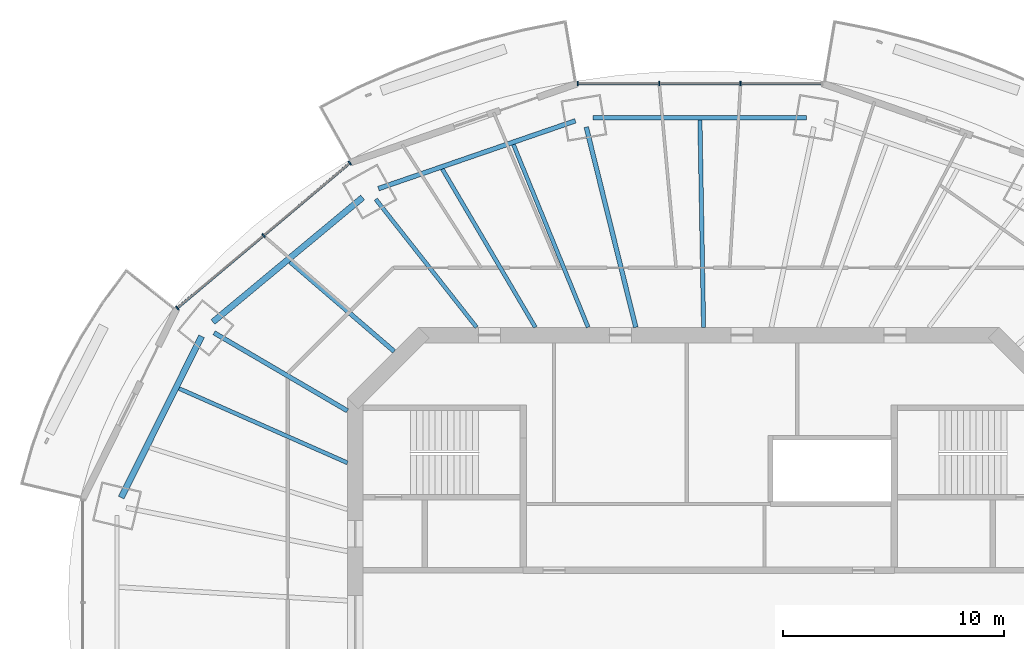
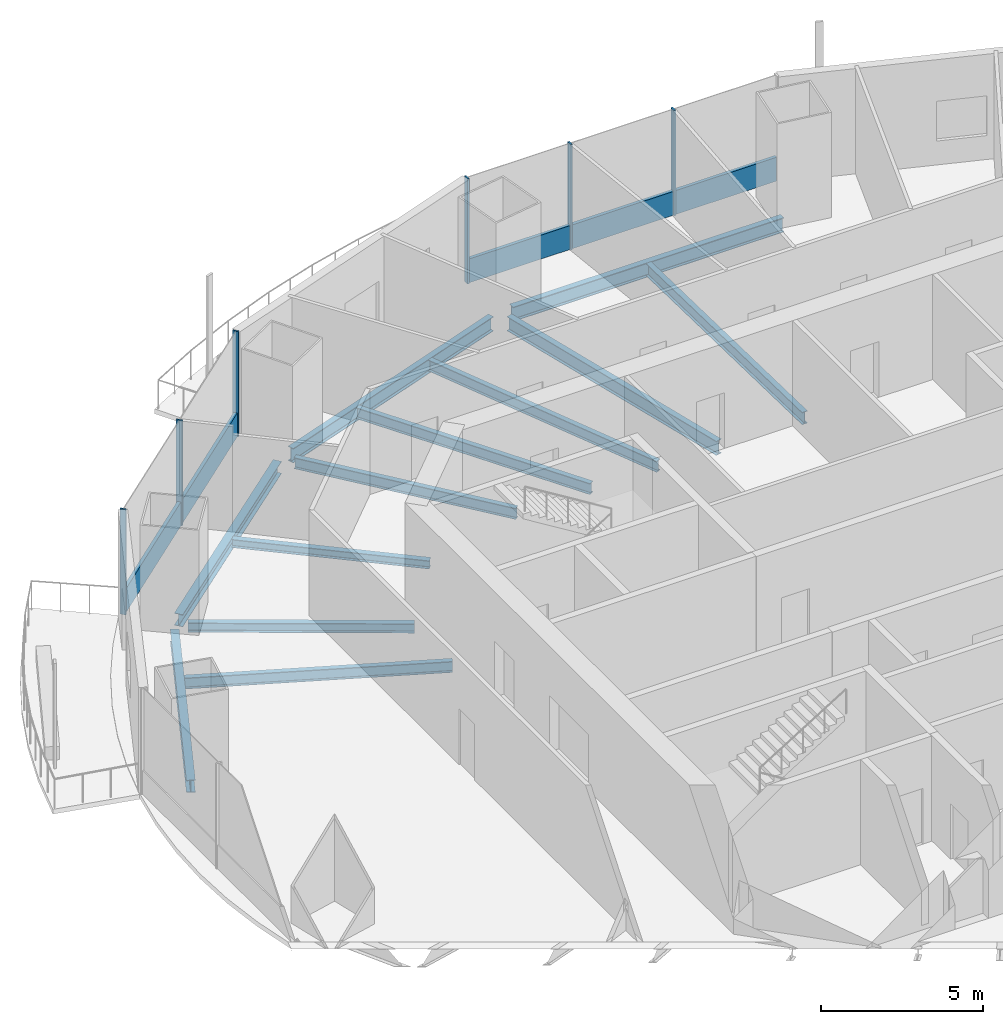
# One storey, part 5 of 16: 12 beams, 8 members, 2 elements without a shape of their own.
"""IFC4 building model written with IfcOpenShell, lengths in metres."""

from ifc_helpers import new_model, si_unit, direction, frame, origin, origin_2d, place, context, subcontext, project, spatial, rectangle, i_section, extrude, material, material_profile, profile_set, type_object, element, aggregate, save


model = new_model("IFC4")

# Units and contexts
model_context = context("Model", 3, precision=1e-05, world=origin(), true_north=direction((0.0, 1.0)))
body_context = subcontext(model_context, "Body", "Model", "MODEL_VIEW")
ifc_project = project(units=[si_unit("LENGTHUNIT", "METRE"), si_unit("AREAUNIT", "SQUARE_METRE"), si_unit("VOLUMEUNIT", "CUBIC_METRE"), si_unit("PLANEANGLEUNIT", "RADIAN"), si_unit("MASSUNIT", "GRAM", prefix="KILO")], contexts=[model_context])

# Site, building, storey
site_placement = place(None, origin())
site = spatial("IfcSite", under=ifc_project, at=site_placement, CompositionType="ELEMENT")
building_placement = place(site_placement, origin())
building = spatial("IfcBuilding", under=site, at=building_placement, Name="Marenthal Gate Tower", CompositionType="ELEMENT")
storey_placement = place(building_placement, frame((0.0, 0.0, 301.10009765625)))
storey = spatial("IfcBuildingStorey", under=building, at=storey_placement, Name="L67", CompositionType="ELEMENT", Elevation=301.10009765625)

# Curtain wall, members
ifc_material_1 = material(Name="Aluminium and glass", Category="aluminium")
curtain_wall_type = type_object("IfcCurtainWallType", Name="Curtain wall typical high", PredefinedType="NOTDEFINED", material=ifc_material_1)
curtain_wall_1_placement = place(storey_placement, origin())
curtain_wall_1 = element("IfcCurtainWall", 1, at=curtain_wall_1_placement, inside=storey, type_object=curtain_wall_type, Name="Curtain wall L67 bay 4", PredefinedType="NOTDEFINED")
ifc_material_2 = material(Name="Aluminium", Category="aluminium")
ifc_material_profile_1 = material_profile(ifc_material_2, rectangle(XDim=0.199951171875, YDim=0.06005859375, at=origin_2d()), Name="60x200 aluminium mullion")
ifc_profile_set_1 = profile_set([ifc_material_profile_1], Name="Aluminium")
member_type_1 = type_object("IfcMemberType", Name="Mullion 60x200 typical high", PredefinedType="MULLION", material=ifc_profile_set_1)
member_1_placement = place(storey_placement, frame((1.44189453125, 24.3779296875, 0.0), z_axis=(0.0, 0.0, 1.0), x_axis=(0.0, -1.0, 0.0)))
member_1 = element("IfcMember", 2, at=member_1_placement, type_object=member_type_1, Name="Mullion L67 bay 4.2", PredefinedType="MULLION", context=body_context, shape_type="SweptSolid", body=[
    extrude(rectangle(XDim=0.199951171875, YDim=0.06005859375, at=origin_2d()), origin(), (0.0, 0.0, 1.0), 3.969970703125),
])
member_2_placement = place(storey_placement, frame((-2.24169921875, 24.3779296875, 0.0), z_axis=(0.0, 0.0, 1.0), x_axis=(0.0, -1.0, 0.0)))
member_2 = element("IfcMember", 3, at=member_2_placement, type_object=member_type_1, Name="Mullion L67 bay 4.3", PredefinedType="MULLION", context=body_context, shape_type="SweptSolid", body=[
    extrude(rectangle(XDim=0.199951171875, YDim=0.06005859375, at=origin_2d()), origin(), (0.0, 0.0, 1.0), 3.969970703125),
])
member_3_placement = place(storey_placement, frame((-5.92529296875, 24.3779296875, 0.0), z_axis=(0.0, 0.0, 1.0), x_axis=(0.0, -1.0, 0.0)))
member_3 = element("IfcMember", 4, at=member_3_placement, type_object=member_type_1, Name="Mullion L67 bay 4.4", PredefinedType="MULLION", context=body_context, shape_type="SweptSolid", body=[
    extrude(rectangle(XDim=0.199951171875, YDim=0.06005859375, at=origin_2d()), origin(), (0.0, 0.0, 1.0), 3.969970703125),
])

curtain_wall_2_placement = place(storey_placement, origin())
curtain_wall_2 = element("IfcCurtainWall", 5, at=curtain_wall_2_placement, inside=storey, type_object=curtain_wall_type, Name="Curtain wall L67 bay 6", PredefinedType="NOTDEFINED")
member_4_placement = place(storey_placement, frame((-16.243408203125, 20.784423828125, 0.0), z_axis=(0.0, 0.0, 1.0), x_axis=(0.643479945432, -0.765462970905, 0.0)))
member_4 = element("IfcMember", 6, at=member_4_placement, type_object=member_type_1, Name="Mullion L67 bay 6.1", PredefinedType="MULLION", context=body_context, shape_type="SweptSolid", body=[
    extrude(rectangle(XDim=0.199951171875, YDim=0.06005859375, at=origin_2d()), origin(), (0.0, 0.0, 1.0), 3.969970703125),
])
member_5_placement = place(storey_placement, frame((-20.148681640625, 17.50146484375, 0.0), z_axis=(0.0, 0.0, 1.0), x_axis=(0.643479945432, -0.765462970905, 0.0)))
member_5 = element("IfcMember", 7, at=member_5_placement, type_object=member_type_1, Name="Mullion L67 bay 6.2", PredefinedType="MULLION", context=body_context, shape_type="SweptSolid", body=[
    extrude(rectangle(XDim=0.199951171875, YDim=0.06005859375, at=origin_2d()), origin(), (0.0, 0.0, 1.0), 3.969970703125),
])
member_6_placement = place(storey_placement, frame((-24.053955078125, 14.218505859375, 0.0), z_axis=(0.0, 0.0, 1.0), x_axis=(0.643479945432, -0.765462970905, 0.0)))
member_6 = element("IfcMember", 8, at=member_6_placement, type_object=member_type_1, Name="Mullion L67 bay 6.3", PredefinedType="MULLION", context=body_context, shape_type="SweptSolid", body=[
    extrude(rectangle(XDim=0.199951171875, YDim=0.06005859375, at=origin_2d()), origin(), (0.0, 0.0, 1.0), 3.969970703125),
])

# Member
ifc_material_3 = material(Name="Aluminium", Category="aluminium")
ifc_material_profile_2 = material_profile(ifc_material_3, rectangle(XDim=0.1201171875, YDim=0.89990234375, at=origin_2d()), Name="120x900 aluminium transom")
ifc_profile_set_2 = profile_set([ifc_material_profile_2], Name="Aluminium")
member_type_2 = type_object("IfcMemberType", Name="Transom 120x900 typical high", PredefinedType="USERDEFINED", material=ifc_profile_set_2)
member_7_placement = place(storey_placement, frame((5.095458984375, 24.3779296875, 0.449951171875), z_axis=(-1.0, 0.0, 0.0), x_axis=(0.0, -1.0, 0.0)))
member_7 = element("IfcMember", 9, at=member_7_placement, type_object=member_type_2, Name="Transom L67 bay 4", ObjectType="TRANSOM", PredefinedType="USERDEFINED", context=body_context, shape_type="SweptSolid", body=[
    extrude(rectangle(XDim=0.1201171875, YDim=0.89990234375, at=origin_2d()), origin(), (0.0, 0.0, 1.0), 10.990966796875),
])

aggregate(curtain_wall_1, [member_1, member_2, member_3, member_7])

member_8_placement = place(storey_placement, frame((-16.266357421875, 20.76513671875, 0.449951171875), z_axis=(-0.765460155219, -0.643483294866, 0.0), x_axis=(0.643483294866, -0.765460155219, 0.0)))
member_8 = element("IfcMember", 10, at=member_8_placement, type_object=member_type_2, Name="Transom L67 bay 6", ObjectType="TRANSOM", PredefinedType="USERDEFINED", context=body_context, shape_type="SweptSolid", body=[
    extrude(rectangle(XDim=0.1201171875, YDim=0.89990234375, at=origin_2d()), origin(), (0.0, 0.0, 1.0), 10.143798828125),
])

aggregate(curtain_wall_2, [member_4, member_5, member_6, member_8])

# Beams
ifc_material_4 = material(Name="Steel S355", Category="steel")
ifc_material_profile_3 = material_profile(ifc_material_4, i_section(OverallWidth=0.205078125, OverallDepth=0.31005859375, WebThickness=0.009521484375, FlangeThickness=0.016357421875, FilletRadius=0.0126953125, at=origin_2d()), Name="W310X74")
ifc_profile_set_3 = profile_set([ifc_material_profile_3], Name="Steel S355")
beam_type_1 = type_object("IfcBeamType", Name="W310X74 beam", PredefinedType="BEAM", material=ifc_profile_set_3)
beam_1_placement = place(storey_placement, frame((-18.94580078125, 16.3134765625, -0.335205078125), z_axis=(0.757787687863, -0.652501203158, 0.0), x_axis=(0.652501203158, 0.757787687863, 0.0)))
element("IfcBeam", 11, at=beam_1_placement, inside=storey, type_object=beam_type_1, Name="BM-L67-25", PredefinedType="BEAM", context=body_context, shape_type="SweptSolid", body=[
    extrude(i_section(OverallWidth=0.205078125, OverallDepth=0.31005859375, WebThickness=0.009521484375, FlangeThickness=0.016357421875, FilletRadius=0.0126953125, at=origin_2d()), origin(), (0.0, 0.0, 1.0), 6.21435546875),
])
ifc_material_5 = material(Name="Steel S355", Category="steel")
ifc_material_profile_4 = material_profile(ifc_material_5, i_section(OverallWidth=0.205078125, OverallDepth=0.35302734375, WebThickness=0.009521484375, FlangeThickness=0.016845703125, FilletRadius=0.014892578125, at=origin_2d()), Name="W360X79")
ifc_profile_set_4 = profile_set([ifc_material_profile_4], Name="Steel S355")
beam_type_2 = type_object("IfcBeamType", Name="W360X79 beam", PredefinedType="BEAM", material=ifc_profile_set_4)
beam_2_placement = place(storey_placement, frame((-22.3876953125, 13.1015625, -0.356689453125), z_axis=(0.863076809593, -0.505072688574, 0.0), x_axis=(0.505072688574, 0.863076809593, 0.0)))
element("IfcBeam", 12, at=beam_2_placement, inside=storey, type_object=beam_type_2, Name="BM-L67-07", PredefinedType="BEAM", context=body_context, shape_type="SweptSolid", body=[
    extrude(i_section(OverallWidth=0.205078125, OverallDepth=0.35302734375, WebThickness=0.009521484375, FlangeThickness=0.016845703125, FilletRadius=0.014892578125, at=origin_2d()), origin(), (0.0, 0.0, 1.0), 6.995361328125),
])
ifc_material_6 = material(Name="Steel S355", Category="steel")
ifc_material_profile_5 = material_profile(ifc_material_6, i_section(OverallWidth=0.180908203125, OverallDepth=0.4169921875, WebThickness=0.010986328125, FlangeThickness=0.018310546875, FilletRadius=0.01025390625, at=origin_2d()), Name="W410X85")
ifc_profile_set_5 = profile_set([ifc_material_profile_5], Name="Steel S355")
beam_type_3 = type_object("IfcBeamType", Name="W410X85 beam", PredefinedType="BEAM", material=ifc_profile_set_5)
beam_3_placement = place(storey_placement, frame((-15.072509765625, 19.146728515625, -0.388671875), z_axis=(0.618553520336, -0.785742669377, 0.0), x_axis=(0.785742669377, 0.618553520336, 0.0)))
element("IfcBeam", 13, at=beam_3_placement, inside=storey, type_object=beam_type_3, Name="BM-L67-06", PredefinedType="BEAM", context=body_context, shape_type="SweptSolid", body=[
    extrude(i_section(OverallWidth=0.180908203125, OverallDepth=0.4169921875, WebThickness=0.010986328125, FlangeThickness=0.018310546875, FilletRadius=0.01025390625, at=origin_2d()), origin(), (0.0, 0.0, 1.0), 7.377197265625),
])
beam_4_placement = place(storey_placement, frame((-8.8388671875, 21.6171875, -0.388671875), z_axis=(0.378477443336, -0.92561051468, 0.0), x_axis=(0.92561051468, 0.378477443336, 0.0)))
element("IfcBeam", 14, at=beam_4_placement, inside=storey, type_object=beam_type_3, Name="BM-L67-23", PredefinedType="BEAM", context=body_context, shape_type="SweptSolid", body=[
    extrude(i_section(OverallWidth=0.180908203125, OverallDepth=0.4169921875, WebThickness=0.010986328125, FlangeThickness=0.018310546875, FilletRadius=0.01025390625, at=origin_2d()), origin(), (0.0, 0.0, 1.0), 8.931396484375),
])
beam_5_placement = place(storey_placement, frame((-12.055908203125, 20.509521484375, -0.388671875), z_axis=(0.506758017477, -0.86208834334, 0.0), x_axis=(0.86208834334, 0.506758017477, 0.0)))
element("IfcBeam", 15, at=beam_5_placement, inside=storey, type_object=beam_type_3, Name="BM-L67-24", PredefinedType="BEAM", context=body_context, shape_type="SweptSolid", body=[
    extrude(i_section(OverallWidth=0.180908203125, OverallDepth=0.4169921875, WebThickness=0.010986328125, FlangeThickness=0.018310546875, FilletRadius=0.01025390625, at=origin_2d()), origin(), (0.0, 0.0, 1.0), 8.3046875),
])
beam_6_placement = place(storey_placement, frame((-23.97412109375, 10.57861328125, -0.388671875), z_axis=(0.914885977249, -0.403712334011, 0.0), x_axis=(0.403712334011, 0.914885977249, 0.0)))
element("IfcBeam", 16, at=beam_6_placement, inside=storey, type_object=beam_type_3, Name="BM-L67-26", PredefinedType="BEAM", context=body_context, shape_type="SweptSolid", body=[
    extrude(i_section(OverallWidth=0.180908203125, OverallDepth=0.4169921875, WebThickness=0.010986328125, FlangeThickness=0.018310546875, FilletRadius=0.01025390625, at=origin_2d()), origin(), (0.0, 0.0, 1.0), 8.333251953125),
])
ifc_material_7 = material(Name="Steel S355", Category="steel")
ifc_material_profile_6 = material_profile(ifc_material_7, i_section(OverallWidth=0.279052734375, OverallDepth=0.4619140625, WebThickness=0.0107421875, FlangeThickness=0.017333984375, FilletRadius=0.010009765625, at=origin_2d()), Name="W460X113")
ifc_profile_set_6 = profile_set([ifc_material_profile_6], Name="Steel S355")
beam_type_4 = type_object("IfcBeamType", Name="W460X113 beam", PredefinedType="BEAM", material=ifc_profile_set_6)
beam_7_placement = place(storey_placement, frame((-15.662353515625, 19.22412109375, -0.4111328125), z_axis=(-0.768999341682, -0.639249569802, 0.0), x_axis=(0.639249569802, -0.768999341682, 0.0)))
element("IfcBeam", 17, at=beam_7_placement, inside=storey, type_object=beam_type_4, Name="BM-L67-46", PredefinedType="BEAM", context=body_context, shape_type="SweptSolid", body=[
    extrude(i_section(OverallWidth=0.279052734375, OverallDepth=0.4619140625, WebThickness=0.0107421875, FlangeThickness=0.017333984375, FilletRadius=0.010009765625, at=origin_2d()), origin(), (0.0, 0.0, 1.0), 8.8154296875),
])
beam_8_placement = place(storey_placement, frame((-22.950927734375, 12.9443359375, -0.4111328125), z_axis=(-0.44599242953, -0.895036732655, 0.0), x_axis=(0.895036732655, -0.44599242953, 0.0)))
element("IfcBeam", 18, at=beam_8_placement, inside=storey, type_object=beam_type_4, Name="BM-L67-47", PredefinedType="BEAM", context=body_context, shape_type="SweptSolid", body=[
    extrude(i_section(OverallWidth=0.279052734375, OverallDepth=0.4619140625, WebThickness=0.0107421875, FlangeThickness=0.017333984375, FilletRadius=0.010009765625, at=origin_2d()), origin(), (0.0, 0.0, 1.0), 8.15966796875),
])
ifc_material_8 = material(Name="Steel S355", Category="steel")
ifc_material_profile_7 = material_profile(ifc_material_8, i_section(OverallWidth=0.193115234375, OverallDepth=0.467041015625, WebThickness=0.011474609375, FlangeThickness=0.01904296875, FilletRadius=0.010009765625, at=origin_2d()), Name="W460X97")
ifc_profile_set_7 = profile_set([ifc_material_profile_7], Name="Steel S355")
beam_type_5 = type_object("IfcBeamType", Name="W460X97 beam", PredefinedType="BEAM", material=ifc_profile_set_7)
beam_9_placement = place(storey_placement, frame((-0.398193359375, 22.722412109375, -0.41357421875), z_axis=(0.017528370224, -0.999846366317, 0.0), x_axis=(0.999846366317, 0.017528370224, 0.0)))
element("IfcBeam", 19, at=beam_9_placement, inside=storey, type_object=beam_type_5, Name="BM-L67-22", PredefinedType="BEAM", context=body_context, shape_type="SweptSolid", body=[
    extrude(i_section(OverallWidth=0.193115234375, OverallDepth=0.467041015625, WebThickness=0.011474609375, FlangeThickness=0.01904296875, FilletRadius=0.010009765625, at=origin_2d()), origin(), (0.0, 0.0, 1.0), 9.373779296875),
])
ifc_material_9 = material(Name="Steel S355", Category="steel")
ifc_material_profile_8 = material_profile(ifc_material_9, i_section(OverallWidth=0.2099609375, OverallDepth=0.535888671875, WebThickness=0.010986328125, FlangeThickness=0.017333984375, FilletRadius=0.0126953125, at=origin_2d()), Name="W530X101")
ifc_profile_set_8 = profile_set([ifc_material_profile_8], Name="Steel S355")
beam_type_6 = type_object("IfcBeamType", Name="W530X101 beam", PredefinedType="BEAM", material=ifc_profile_set_8)
beam_10_placement = place(storey_placement, frame((-5.54443359375, 22.4130859375, -0.447998046875), z_axis=(0.240135238154, -0.970739443619, 0.0), x_axis=(0.970739443619, 0.240135238154, 0.0)))
element("IfcBeam", 20, at=beam_10_placement, inside=storey, type_object=beam_type_6, Name="BM-L67-05", PredefinedType="BEAM", context=body_context, shape_type="SweptSolid", body=[
    extrude(i_section(OverallWidth=0.2099609375, OverallDepth=0.535888671875, WebThickness=0.010986328125, FlangeThickness=0.017333984375, FilletRadius=0.0126953125, at=origin_2d()), origin(), (0.0, 0.0, 1.0), 9.336181640625),
])
ifc_material_10 = material(Name="Steel S355", Category="steel")
ifc_material_profile_9 = material_profile(ifc_material_10, i_section(OverallWidth=0.2119140625, OverallDepth=0.5439453125, WebThickness=0.01318359375, FlangeThickness=0.021240234375, FilletRadius=0.0126953125, at=origin_2d()), Name="W530X123")
ifc_profile_set_9 = profile_set([ifc_material_profile_9], Name="Steel S355")
beam_type_7 = type_object("IfcBeamType", Name="W530X123 beam", PredefinedType="BEAM", material=ifc_profile_set_9)
beam_11_placement = place(storey_placement, frame((4.434814453125, 22.828369140625, -0.4521484375), z_axis=(-1.0, 0.0, 0.0), x_axis=(0.0, -1.0, 0.0)))
element("IfcBeam", 21, at=beam_11_placement, inside=storey, type_object=beam_type_7, Name="BM-L67-44", PredefinedType="BEAM", context=body_context, shape_type="SweptSolid", body=[
    extrude(i_section(OverallWidth=0.2119140625, OverallDepth=0.5439453125, WebThickness=0.01318359375, FlangeThickness=0.021240234375, FilletRadius=0.0126953125, at=origin_2d()), origin(), (0.0, 0.0, 1.0), 9.669677734375),
])
beam_12_placement = place(storey_placement, frame((-6.037353515625, 22.694091796875, -0.4521484375), z_axis=(-0.945516546664, -0.325574046853, 0.0), x_axis=(0.325574046853, -0.945516546664, 0.0)))
element("IfcBeam", 22, at=beam_12_placement, inside=storey, type_object=beam_type_7, Name="BM-L67-45", PredefinedType="BEAM", context=body_context, shape_type="SweptSolid", body=[
    extrude(i_section(OverallWidth=0.2119140625, OverallDepth=0.5439453125, WebThickness=0.01318359375, FlangeThickness=0.021240234375, FilletRadius=0.0126953125, at=origin_2d()), origin(), (0.0, 0.0, 1.0), 9.427490234375),
])

save(model, "model.ifc")
